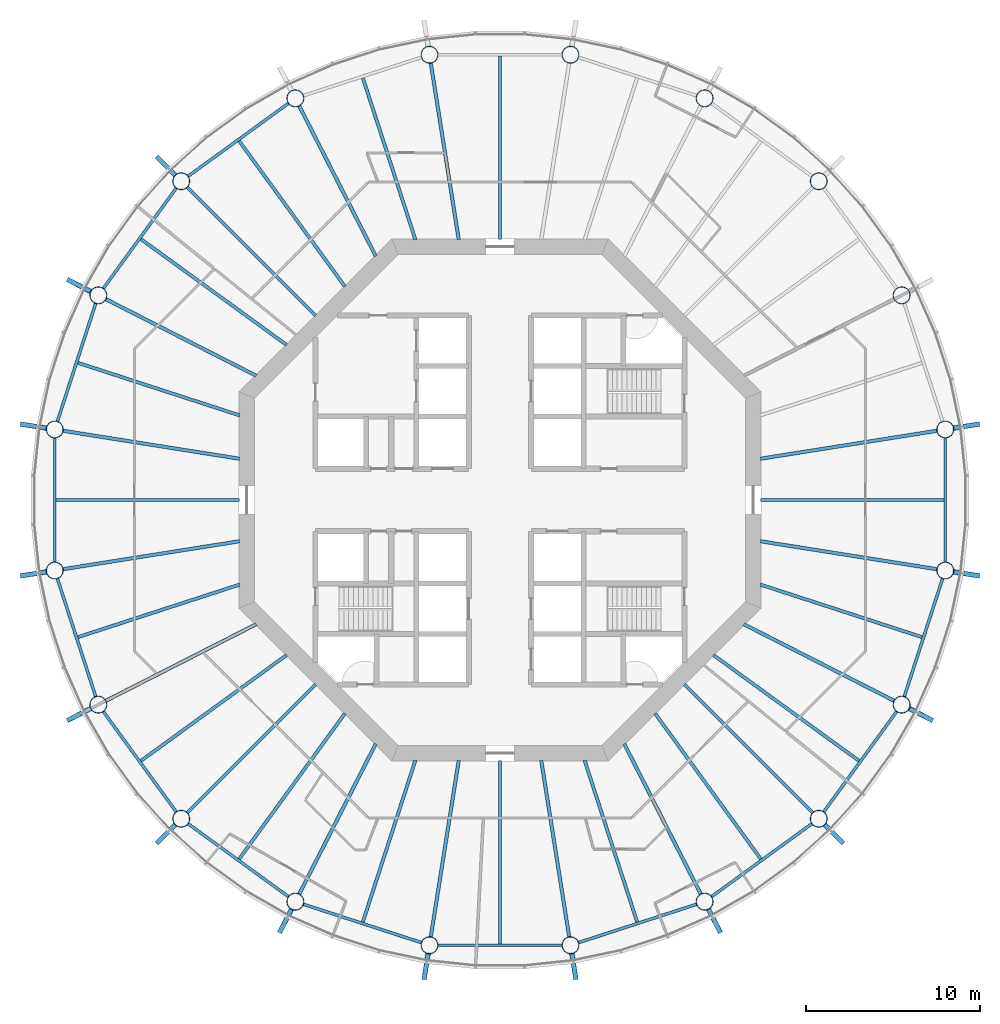
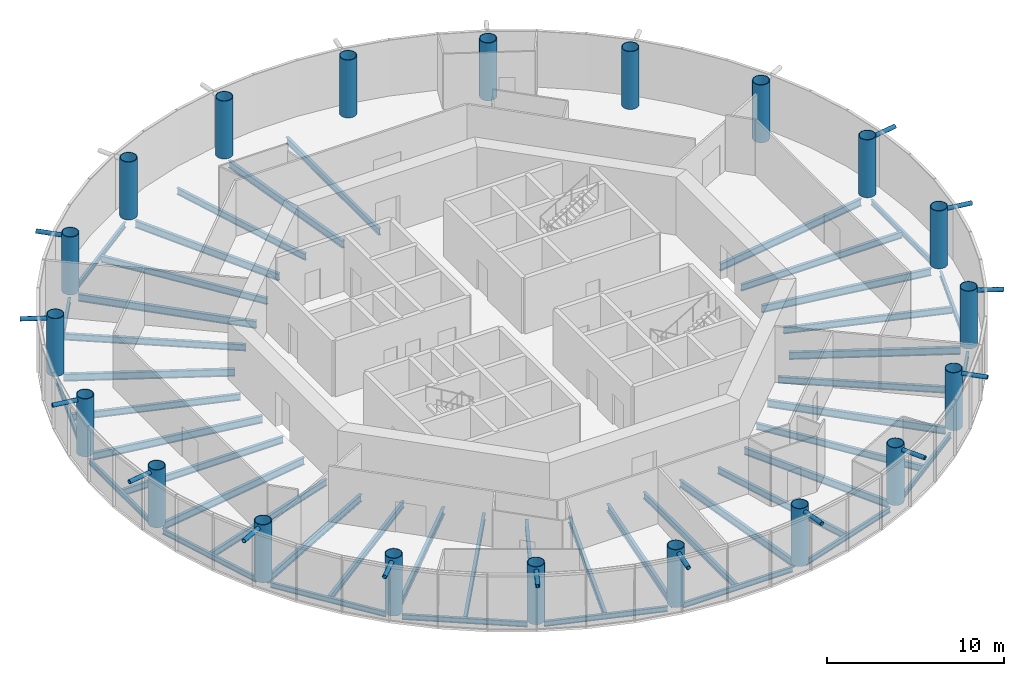
# One storey, part 1 of 13: 46 beams, 20 columns, 14 members.
"""IFC4 building model written with IfcOpenShell, lengths in metres."""

from ifc_helpers import new_model, si_unit, direction, frame, origin, origin_2d, place, context, subcontext, project, spatial, circle, hollow_circle, i_section, extrude, material, material_profile, profile_set, type_object, element, save


model = new_model("IFC4")

# Units and contexts
model_context = context("Model", 3, precision=1e-05, world=origin(), true_north=direction((0.0, 1.0)))
body_context = subcontext(model_context, "Body", "Model", "MODEL_VIEW")
ifc_project = project(units=[si_unit("LENGTHUNIT", "METRE"), si_unit("AREAUNIT", "SQUARE_METRE"), si_unit("VOLUMEUNIT", "CUBIC_METRE"), si_unit("PLANEANGLEUNIT", "RADIAN"), si_unit("MASSUNIT", "GRAM", prefix="KILO")], contexts=[model_context])

# Site, building, storey
site_placement = place(None, origin())
site = spatial("IfcSite", under=ifc_project, at=site_placement, CompositionType="ELEMENT")
building_placement = place(site_placement, origin())
building = spatial("IfcBuilding", under=site, at=building_placement, Name="Entoto Ring Tower", CompositionType="ELEMENT")
storey_placement = place(building_placement, frame((0.0, 0.0, 258.0)))
storey = spatial("IfcBuildingStorey", under=building, at=storey_placement, Name="L59", CompositionType="ELEMENT", Elevation=258.0)

# Columns
ifc_material_1 = material(Name="Steel S355", Category="steel")
ifc_material_profile_1 = material_profile(ifc_material_1, hollow_circle(Radius=0.5, WallThickness=0.0400390625, at=origin_2d()), Name="CHS 1000 x 40")
ifc_material_2 = material(Name="Concrete C60/75", Category="concrete")
ifc_material_profile_2 = material_profile(ifc_material_2, circle(Radius=0.4599609375, at=origin_2d()), Name="Concrete C60/75 infill")
ifc_profile_set_1 = profile_set([ifc_material_profile_1, ifc_material_profile_2], Name="Steel S355")
column_type = type_object("IfcColumnType", Name="Ring column 1000 x 40 concrete-filled tube", PredefinedType="COLUMN", material=ifc_profile_set_1)
for number, where, z_axis, x_axis, name in (
    (1, (115.5810546875, 84.0517578125, 0.0), (0.0, 0.0, 1.0), (1.0, 0.0, 0.0), "RC4 R01"),
    (2, (113.0771484375, 91.75830078125, 0.0), (0.0, 0.0, 1.0), (1.0, 0.0, 0.0), "RC4 R02"),
    (3, (108.31396484375, 98.31396484375, 0.0), (0.0, 0.0, 1.0), (1.0, 0.0, 0.0), "RC4 R03"),
    (4, (101.75830078125, 103.0771484375, 0.0), (0.0, 0.0, 1.0), (1.0, 0.0, 0.0), "RC4 R04"),
    (5, (94.0517578125, 105.5810546875, 0.0), (0.0, 0.0, 1.0), (1.0, 0.0, 0.0), "RC4 R05"),
    (6, (85.9482421875, 105.5810546875, 0.0), (0.0, 0.0, 1.0), (1.0, 0.0, 0.0), "RC4 R06"),
    (7, (78.24169921875, 103.0771484375, 0.0), (0.0, 0.0, 1.0), (1.0, 0.0, 0.0), "RC4 R07"),
    (8, (71.68603515625, 98.31396484375, 0.0), (0.0, 0.0, 1.0), (1.0, 0.0, 0.0), "RC4 R08"),
    (9, (66.9228515625, 91.75830078125, 0.0), (0.0, 0.0, 1.0), (1.0, 0.0, 0.0), "RC4 R09"),
    (10, (64.4189453125, 84.0517578125, 0.0), (0.0, 0.0, 1.0), (1.0, 0.0, 0.0), "RC4 R10"),
    (11, (64.4189453125, 75.9482421875, 0.0), (0.0, 0.0, 1.0), (1.0, 0.0, 0.0), "RC4 R11"),
    (12, (66.9228515625, 68.24169921875, 0.0), (0.0, 0.0, 1.0), (1.0, 0.0, 0.0), "RC4 R12"),
    (13, (71.68603515625, 61.68603515625, 0.0), (0.0, 0.0, 1.0), (1.0, 0.0, 0.0), "RC4 R13"),
    (14, (78.24169921875, 56.9228515625, 0.0), (0.0, 0.0, 1.0), (1.0, 0.0, 0.0), "RC4 R14"),
    (15, (85.9482421875, 54.4189453125, 0.0), (0.0, 0.0, 1.0), (1.0, 0.0, 0.0), "RC4 R15"),
    (16, (94.0517578125, 54.4189453125, 0.0), (0.0, 0.0, 1.0), (1.0, 0.0, 0.0), "RC4 R16"),
    (17, (101.75830078125, 56.9228515625, 0.0), (0.0, 0.0, 1.0), (1.0, 0.0, 0.0), "RC4 R17"),
    (18, (108.31396484375, 61.68603515625, 0.0), (0.0, 0.0, 1.0), (1.0, 0.0, 0.0), "RC4 R18"),
    (19, (113.0771484375, 68.24169921875, 0.0), (0.0, 0.0, 1.0), (1.0, 0.0, 0.0), "RC4 R19"),
    (20, (115.5810546875, 75.9482421875, 0.0), (0.0, 0.0, 1.0), (1.0, 0.0, 0.0), "RC4 R20"),
):
    element("IfcColumn", number, at=place(storey_placement, frame(where, z_axis=z_axis, x_axis=x_axis)), inside=storey, type_object=column_type, Name=name, PredefinedType="COLUMN", context=body_context, shape_type="SweptSolid", body=[
        extrude(hollow_circle(Radius=0.5, WallThickness=0.0400390625, at=origin_2d()), origin(), (0.0, 0.0, 1.0), 4.0),
    ])

# Members
ifc_material_3 = material(Name="Steel S355", Category="steel")
ifc_material_profile_3 = material_profile(ifc_material_3, hollow_circle(Radius=0.136474609375, WallThickness=0.012451171875, at=origin_2d()), Name="CHS 273 x 12.5")
ifc_material_4 = material(Name="Concrete C60/75", Category="concrete")
ifc_material_profile_4 = material_profile(ifc_material_4, circle(Radius=0.1240234375, at=origin_2d()), Name="Concrete C60/75 infill")
ifc_profile_set_2 = profile_set([ifc_material_profile_3, ifc_material_profile_4], Name="Steel S355")
member_type = type_object("IfcMemberType", Name="Diagrid node strut 273 x 12.5", PredefinedType="STRUT", material=ifc_profile_set_2)
member_1_placement = place(storey_placement, frame((71.360107421875, 98.639892578125, 3.71337890625), z_axis=(-0.707106781187, 0.707106781187, 0.0), x_axis=(-0.707106781187, -0.707106781187, 0.0)))
element("IfcMember", 21, at=member_1_placement, inside=storey, type_object=member_type, Name="DS2 strut ring 19 07", PredefinedType="STRUT", context=body_context, shape_type="SweptSolid", body=[
    extrude(hollow_circle(Radius=0.136474609375, WallThickness=0.012451171875, at=origin_2d()), origin(), (0.0, 0.0, 1.0), 1.539306640625),
])
for number, where, z_axis, x_axis, name in (
    (22, (66.51220703125, 91.967529296875, 3.71337890625), (-0.891006809714, 0.453989939363, 0.0), (-0.453989939363, -0.891006809714, 0.0), "DS2 strut ring 19 08"),
    (23, (63.963623046875, 84.123779296875, 3.71337890625), (-0.987690828979, 0.156418753192, 0.0), (-0.156418753192, -0.987690828979, 0.0), "DS2 strut ring 19 09"),
    (24, (63.963623046875, 75.876220703125, 3.71337890625), (-0.987690828979, -0.156418753192, 0.0), (0.156418753192, -0.987690828979, 0.0), "DS2 strut ring 19 10"),
    (25, (66.51220703125, 68.032470703125, 3.71337890625), (-0.891006809714, -0.453989939363, 0.0), (0.453989939363, -0.891006809714, 0.0), "DS2 strut ring 19 11"),
):
    element("IfcMember", number, at=place(storey_placement, frame(where, z_axis=z_axis, x_axis=x_axis)), inside=storey, type_object=member_type, Name=name, PredefinedType="STRUT", context=body_context, shape_type="SweptSolid", body=[
        extrude(hollow_circle(Radius=0.136474609375, WallThickness=0.012451171875, at=origin_2d()), origin(), (0.0, 0.0, 1.0), 1.5390625),
    ])
member_2_placement = place(storey_placement, frame((71.360107421875, 61.360107421875, 3.71337890625), z_axis=(-0.707106781187, -0.707106781187, 0.0), x_axis=(0.707106781187, -0.707106781187, 0.0)))
element("IfcMember", 26, at=member_2_placement, inside=storey, type_object=member_type, Name="DS2 strut ring 19 12", PredefinedType="STRUT", context=body_context, shape_type="SweptSolid", body=[
    extrude(hollow_circle(Radius=0.136474609375, WallThickness=0.012451171875, at=origin_2d()), origin(), (0.0, 0.0, 1.0), 1.539306640625),
])
for number, where, z_axis, x_axis, name in (
    (27, (78.032470703125, 56.51220703125, 3.71337890625), (-0.453989939363, -0.891006809714, 0.0), (0.891006809714, -0.453989939363, 0.0), "DS2 strut ring 19 13"),
    (28, (85.876220703125, 53.963623046875, 3.71337890625), (-0.156418753192, -0.987690828979, 0.0), (0.987690828979, -0.156418753192, 0.0), "DS2 strut ring 19 14"),
    (29, (94.123779296875, 53.963623046875, 3.71337890625), (0.156418753192, -0.987690828979, 0.0), (0.987690828979, 0.156418753192, 0.0), "DS2 strut ring 19 15"),
    (30, (101.967529296875, 56.51220703125, 3.71337890625), (0.453989939363, -0.891006809714, 0.0), (0.891006809714, 0.453989939363, 0.0), "DS2 strut ring 19 16"),
):
    element("IfcMember", number, at=place(storey_placement, frame(where, z_axis=z_axis, x_axis=x_axis)), inside=storey, type_object=member_type, Name=name, PredefinedType="STRUT", context=body_context, shape_type="SweptSolid", body=[
        extrude(hollow_circle(Radius=0.136474609375, WallThickness=0.012451171875, at=origin_2d()), origin(), (0.0, 0.0, 1.0), 1.5390625),
    ])
member_3_placement = place(storey_placement, frame((108.639892578125, 61.360107421875, 3.71337890625), z_axis=(0.707106781187, -0.707106781187, 0.0), x_axis=(0.707106781187, 0.707106781187, 0.0)))
element("IfcMember", 31, at=member_3_placement, inside=storey, type_object=member_type, Name="DS2 strut ring 19 17", PredefinedType="STRUT", context=body_context, shape_type="SweptSolid", body=[
    extrude(hollow_circle(Radius=0.136474609375, WallThickness=0.012451171875, at=origin_2d()), origin(), (0.0, 0.0, 1.0), 1.539306640625),
])
for number, where, z_axis, x_axis, name in (
    (32, (113.48779296875, 68.032470703125, 3.71337890625), (0.891006809714, -0.453989939363, 0.0), (0.453989939363, 0.891006809714, 0.0), "DS2 strut ring 19 18"),
    (33, (116.036376953125, 75.876220703125, 3.71337890625), (0.987690828979, -0.156418753192, 0.0), (0.156418753192, 0.987690828979, 0.0), "DS2 strut ring 19 19"),
    (34, (116.036376953125, 84.123779296875, 3.71337890625), (0.987690828979, 0.156418753192, 0.0), (-0.156418753192, 0.987690828979, 0.0), "DS2 strut ring 19 20"),
):
    element("IfcMember", number, at=place(storey_placement, frame(where, z_axis=z_axis, x_axis=x_axis)), inside=storey, type_object=member_type, Name=name, PredefinedType="STRUT", context=body_context, shape_type="SweptSolid", body=[
        extrude(hollow_circle(Radius=0.136474609375, WallThickness=0.012451171875, at=origin_2d()), origin(), (0.0, 0.0, 1.0), 1.5390625),
    ])

# Beams
ifc_material_5 = material(Name="Steel S355", Category="steel")
ifc_material_profile_5 = material_profile(ifc_material_5, i_section(OverallWidth=0.169921875, OverallDepth=0.360107421875, WebThickness=0.008056640625, FlangeThickness=0.0126953125, FilletRadius=0.01806640625, at=origin_2d()), Name="IPE 360")
ifc_profile_set_3 = profile_set([ifc_material_profile_5], Name="Steel S355")
beam_type_1 = type_object("IfcBeamType", Name="Edge beam IPE 360", PredefinedType="SPANDREL", material=ifc_profile_set_3)
for number, where, z_axis, x_axis, name in (
    (35, (77.859375, 102.79931640625, -0.330078125), (-0.809010324619, -0.587794432314, 0.0), (0.587794432314, -0.809010324619, 0.0), "Edge beam L59 07"),
    (36, (71.408203125, 97.931640625, -0.330078125), (-0.587794432314, -0.809010324619, 0.0), (0.809010324619, -0.587794432314, 0.0), "Edge beam L59 08"),
):
    element("IfcBeam", number, at=place(storey_placement, frame(where, z_axis=z_axis, x_axis=x_axis)), inside=storey, type_object=beam_type_1, Name=name, PredefinedType="SPANDREL", context=body_context, shape_type="SweptSolid", body=[
        extrude(i_section(OverallWidth=0.169921875, OverallDepth=0.360107421875, WebThickness=0.008056640625, FlangeThickness=0.0126953125, FilletRadius=0.01806640625, at=origin_2d()), origin(), (0.0, 0.0, 1.0), 7.158203125),
    ])
beam_1_placement = place(storey_placement, frame((66.77685546875, 91.308837890625, -0.330078125), z_axis=(-0.309015118354, -0.951057125849, 0.0), x_axis=(0.951057125849, -0.309015118354, 0.0)))
element("IfcBeam", 37, at=beam_1_placement, inside=storey, type_object=beam_type_1, Name="Edge beam L59 09", PredefinedType="SPANDREL", context=body_context, shape_type="SweptSolid", body=[
    extrude(i_section(OverallWidth=0.169921875, OverallDepth=0.360107421875, WebThickness=0.008056640625, FlangeThickness=0.0126953125, FilletRadius=0.01806640625, at=origin_2d()), origin(), (0.0, 0.0, 1.0), 7.157958984375),
])
beam_2_placement = place(storey_placement, frame((64.4189453125, 83.5791015625, -0.330078125), z_axis=(0.0, -1.0, 0.0), x_axis=(1.0, 0.0, 0.0)))
element("IfcBeam", 38, at=beam_2_placement, inside=storey, type_object=beam_type_1, Name="Edge beam L59 10", PredefinedType="SPANDREL", context=body_context, shape_type="SweptSolid", body=[
    extrude(i_section(OverallWidth=0.169921875, OverallDepth=0.360107421875, WebThickness=0.008056640625, FlangeThickness=0.0126953125, FilletRadius=0.01806640625, at=origin_2d()), origin(), (0.0, 0.0, 1.0), 7.158203125),
])
beam_3_placement = place(storey_placement, frame((64.56494140625, 75.498779296875, -0.330078125), z_axis=(0.309015118354, -0.951057125849, 0.0), x_axis=(0.951057125849, 0.309015118354, 0.0)))
element("IfcBeam", 39, at=beam_3_placement, inside=storey, type_object=beam_type_1, Name="Edge beam L59 11", PredefinedType="SPANDREL", context=body_context, shape_type="SweptSolid", body=[
    extrude(i_section(OverallWidth=0.169921875, OverallDepth=0.360107421875, WebThickness=0.008056640625, FlangeThickness=0.0126953125, FilletRadius=0.01806640625, at=origin_2d()), origin(), (0.0, 0.0, 1.0), 7.157958984375),
])
for number, where, z_axis, x_axis, name in (
    (40, (67.20068359375, 67.859375, -0.330078125), (0.587794432314, -0.809010324619, 0.0), (0.809010324619, 0.587794432314, 0.0), "Edge beam L59 12"),
    (41, (72.068359375, 61.408203125, -0.330078125), (0.809010324619, -0.587794432314, 0.0), (0.587794432314, 0.809010324619, 0.0), "Edge beam L59 13"),
):
    element("IfcBeam", number, at=place(storey_placement, frame(where, z_axis=z_axis, x_axis=x_axis)), inside=storey, type_object=beam_type_1, Name=name, PredefinedType="SPANDREL", context=body_context, shape_type="SweptSolid", body=[
        extrude(i_section(OverallWidth=0.169921875, OverallDepth=0.360107421875, WebThickness=0.008056640625, FlangeThickness=0.0126953125, FilletRadius=0.01806640625, at=origin_2d()), origin(), (0.0, 0.0, 1.0), 7.158203125),
    ])
beam_4_placement = place(storey_placement, frame((78.691162109375, 56.77685546875, -0.330078125), z_axis=(0.951057125849, -0.309015118354, 0.0), x_axis=(0.309015118354, 0.951057125849, 0.0)))
element("IfcBeam", 42, at=beam_4_placement, inside=storey, type_object=beam_type_1, Name="Edge beam L59 14", PredefinedType="SPANDREL", context=body_context, shape_type="SweptSolid", body=[
    extrude(i_section(OverallWidth=0.169921875, OverallDepth=0.360107421875, WebThickness=0.008056640625, FlangeThickness=0.0126953125, FilletRadius=0.01806640625, at=origin_2d()), origin(), (0.0, 0.0, 1.0), 7.157958984375),
])
beam_5_placement = place(storey_placement, frame((86.4208984375, 54.4189453125, -0.330078125), z_axis=(1.0, 0.0, 0.0), x_axis=(0.0, 1.0, 0.0)))
element("IfcBeam", 43, at=beam_5_placement, inside=storey, type_object=beam_type_1, Name="Edge beam L59 15", PredefinedType="SPANDREL", context=body_context, shape_type="SweptSolid", body=[
    extrude(i_section(OverallWidth=0.169921875, OverallDepth=0.360107421875, WebThickness=0.008056640625, FlangeThickness=0.0126953125, FilletRadius=0.01806640625, at=origin_2d()), origin(), (0.0, 0.0, 1.0), 7.158203125),
])
beam_6_placement = place(storey_placement, frame((94.501220703125, 54.56494140625, -0.330078125), z_axis=(0.951057125849, 0.309015118354, 0.0), x_axis=(-0.309015118354, 0.951057125849, 0.0)))
element("IfcBeam", 44, at=beam_6_placement, inside=storey, type_object=beam_type_1, Name="Edge beam L59 16", PredefinedType="SPANDREL", context=body_context, shape_type="SweptSolid", body=[
    extrude(i_section(OverallWidth=0.169921875, OverallDepth=0.360107421875, WebThickness=0.008056640625, FlangeThickness=0.0126953125, FilletRadius=0.01806640625, at=origin_2d()), origin(), (0.0, 0.0, 1.0), 7.157958984375),
])
for number, where, z_axis, x_axis, name in (
    (45, (102.140625, 57.20068359375, -0.330078125), (0.809010324619, 0.587794432314, 0.0), (-0.587794432314, 0.809010324619, 0.0), "Edge beam L59 17"),
    (46, (108.591796875, 62.068359375, -0.330078125), (0.587794432314, 0.809010324619, 0.0), (-0.809010324619, 0.587794432314, 0.0), "Edge beam L59 18"),
):
    element("IfcBeam", number, at=place(storey_placement, frame(where, z_axis=z_axis, x_axis=x_axis)), inside=storey, type_object=beam_type_1, Name=name, PredefinedType="SPANDREL", context=body_context, shape_type="SweptSolid", body=[
        extrude(i_section(OverallWidth=0.169921875, OverallDepth=0.360107421875, WebThickness=0.008056640625, FlangeThickness=0.0126953125, FilletRadius=0.01806640625, at=origin_2d()), origin(), (0.0, 0.0, 1.0), 7.158203125),
    ])
beam_7_placement = place(storey_placement, frame((113.22314453125, 68.691162109375, -0.330078125), z_axis=(0.309015118354, 0.951057125849, 0.0), x_axis=(-0.951057125849, 0.309015118354, 0.0)))
element("IfcBeam", 47, at=beam_7_placement, inside=storey, type_object=beam_type_1, Name="Edge beam L59 19", PredefinedType="SPANDREL", context=body_context, shape_type="SweptSolid", body=[
    extrude(i_section(OverallWidth=0.169921875, OverallDepth=0.360107421875, WebThickness=0.008056640625, FlangeThickness=0.0126953125, FilletRadius=0.01806640625, at=origin_2d()), origin(), (0.0, 0.0, 1.0), 7.157958984375),
])
beam_8_placement = place(storey_placement, frame((115.5810546875, 76.4208984375, -0.330078125), z_axis=(0.0, 1.0, 0.0), x_axis=(-1.0, 0.0, 0.0)))
element("IfcBeam", 48, at=beam_8_placement, inside=storey, type_object=beam_type_1, Name="Edge beam L59 20", PredefinedType="SPANDREL", context=body_context, shape_type="SweptSolid", body=[
    extrude(i_section(OverallWidth=0.169921875, OverallDepth=0.360107421875, WebThickness=0.008056640625, FlangeThickness=0.0126953125, FilletRadius=0.01806640625, at=origin_2d()), origin(), (0.0, 0.0, 1.0), 7.158203125),
])
ifc_material_6 = material(Name="Steel S355", Category="steel")
ifc_material_profile_6 = material_profile(ifc_material_6, i_section(OverallWidth=0.199951171875, OverallDepth=0.5, WebThickness=0.01025390625, FlangeThickness=0.01611328125, FilletRadius=0.02099609375, at=origin_2d()), Name="IPE 500")
ifc_profile_set_4 = profile_set([ifc_material_profile_6], Name="Steel S355")
beam_type_2 = type_object("IfcBeamType", Name="Primary floor beam IPE 500", PredefinedType="BEAM", material=ifc_profile_set_4)
for number, where, z_axis, x_axis, name in (
    (49, (104.964599609375, 82.3701171875, -0.39990234375), (0.987685619518, 0.156451644281, 0.0), (-0.156451644281, 0.987685619518, 0.0), "Primary L59 R01"),
    (50, (87.6298828125, 94.964599609375, -0.39990234375), (-0.156451644281, 0.987685619518, 0.0), (-0.987685619518, -0.156451644281, 0.0), "Primary L59 R06"),
):
    element("IfcBeam", number, at=place(storey_placement, frame(where, z_axis=z_axis, x_axis=x_axis)), inside=storey, type_object=beam_type_2, Name=name, PredefinedType="BEAM", context=body_context, shape_type="SweptSolid", body=[
        extrude(i_section(OverallWidth=0.199951171875, OverallDepth=0.5, WebThickness=0.01025390625, FlangeThickness=0.01611328125, FilletRadius=0.02099609375, at=origin_2d()), origin(), (0.0, 0.0, 1.0), 10.27880859375),
    ])
beam_9_placement = place(storey_placement, frame((82.863525390625, 94.006103515625, -0.39990234375), z_axis=(-0.45397888461, 0.891012442297, 0.0), x_axis=(-0.891012442297, -0.45397888461, 0.0)))
element("IfcBeam", 51, at=beam_9_placement, inside=storey, type_object=beam_type_2, Name="Primary L59 R07", PredefinedType="BEAM", context=body_context, shape_type="SweptSolid", body=[
    extrude(i_section(OverallWidth=0.199951171875, OverallDepth=0.5, WebThickness=0.01025390625, FlangeThickness=0.01611328125, FilletRadius=0.02099609375, at=origin_2d()), origin(), (0.0, 0.0, 1.0), 9.710693359375),
])
beam_10_placement = place(storey_placement, frame((79.407470703125, 90.592529296875, -0.39990234375), z_axis=(-0.707106781187, 0.707106781187, 0.0), x_axis=(-0.707106781187, -0.707106781187, 0.0)))
element("IfcBeam", 52, at=beam_10_placement, inside=storey, type_object=beam_type_2, Name="Primary L59 R08", PredefinedType="BEAM", context=body_context, shape_type="SweptSolid", body=[
    extrude(i_section(OverallWidth=0.199951171875, OverallDepth=0.5, WebThickness=0.01025390625, FlangeThickness=0.01611328125, FilletRadius=0.02099609375, at=origin_2d()), origin(), (0.0, 0.0, 1.0), 10.4501953125),
])
beam_11_placement = place(storey_placement, frame((75.993896484375, 87.136474609375, -0.39990234375), z_axis=(-0.891012442297, 0.45397888461, 0.0), x_axis=(-0.45397888461, -0.891012442297, 0.0)))
element("IfcBeam", 53, at=beam_11_placement, inside=storey, type_object=beam_type_2, Name="Primary L59 R09", PredefinedType="BEAM", context=body_context, shape_type="SweptSolid", body=[
    extrude(i_section(OverallWidth=0.199951171875, OverallDepth=0.5, WebThickness=0.01025390625, FlangeThickness=0.01611328125, FilletRadius=0.02099609375, at=origin_2d()), origin(), (0.0, 0.0, 1.0), 9.710693359375),
])
for number, where, z_axis, x_axis, name in (
    (54, (75.035400390625, 82.3701171875, -0.39990234375), (-0.987685619518, 0.156451644281, 0.0), (-0.156451644281, -0.987685619518, 0.0), "Primary L59 R10"),
    (55, (75.035400390625, 77.6298828125, -0.39990234375), (-0.987685619518, -0.156451644281, 0.0), (0.156451644281, -0.987685619518, 0.0), "Primary L59 R11"),
):
    element("IfcBeam", number, at=place(storey_placement, frame(where, z_axis=z_axis, x_axis=x_axis)), inside=storey, type_object=beam_type_2, Name=name, PredefinedType="BEAM", context=body_context, shape_type="SweptSolid", body=[
        extrude(i_section(OverallWidth=0.199951171875, OverallDepth=0.5, WebThickness=0.01025390625, FlangeThickness=0.01611328125, FilletRadius=0.02099609375, at=origin_2d()), origin(), (0.0, 0.0, 1.0), 10.27880859375),
    ])
beam_12_placement = place(storey_placement, frame((75.993896484375, 72.863525390625, -0.39990234375), z_axis=(-0.891012442297, -0.45397888461, 0.0), x_axis=(0.45397888461, -0.891012442297, 0.0)))
element("IfcBeam", 56, at=beam_12_placement, inside=storey, type_object=beam_type_2, Name="Primary L59 R12", PredefinedType="BEAM", context=body_context, shape_type="SweptSolid", body=[
    extrude(i_section(OverallWidth=0.199951171875, OverallDepth=0.5, WebThickness=0.01025390625, FlangeThickness=0.01611328125, FilletRadius=0.02099609375, at=origin_2d()), origin(), (0.0, 0.0, 1.0), 9.710693359375),
])
beam_13_placement = place(storey_placement, frame((79.407470703125, 69.407470703125, -0.39990234375), z_axis=(-0.707106781187, -0.707106781187, 0.0), x_axis=(0.707106781187, -0.707106781187, 0.0)))
element("IfcBeam", 57, at=beam_13_placement, inside=storey, type_object=beam_type_2, Name="Primary L59 R13", PredefinedType="BEAM", context=body_context, shape_type="SweptSolid", body=[
    extrude(i_section(OverallWidth=0.199951171875, OverallDepth=0.5, WebThickness=0.01025390625, FlangeThickness=0.01611328125, FilletRadius=0.02099609375, at=origin_2d()), origin(), (0.0, 0.0, 1.0), 10.4501953125),
])
beam_14_placement = place(storey_placement, frame((82.863525390625, 65.993896484375, -0.39990234375), z_axis=(-0.45397888461, -0.891012442297, 0.0), x_axis=(0.891012442297, -0.45397888461, 0.0)))
element("IfcBeam", 58, at=beam_14_placement, inside=storey, type_object=beam_type_2, Name="Primary L59 R14", PredefinedType="BEAM", context=body_context, shape_type="SweptSolid", body=[
    extrude(i_section(OverallWidth=0.199951171875, OverallDepth=0.5, WebThickness=0.01025390625, FlangeThickness=0.01611328125, FilletRadius=0.02099609375, at=origin_2d()), origin(), (0.0, 0.0, 1.0), 9.710693359375),
])
for number, where, z_axis, x_axis, name in (
    (59, (87.6298828125, 65.035400390625, -0.39990234375), (-0.156451644281, -0.987685619518, 0.0), (0.987685619518, -0.156451644281, 0.0), "Primary L59 R15"),
    (60, (92.3701171875, 65.035400390625, -0.39990234375), (0.156451644281, -0.987685619518, 0.0), (0.987685619518, 0.156451644281, 0.0), "Primary L59 R16"),
):
    element("IfcBeam", number, at=place(storey_placement, frame(where, z_axis=z_axis, x_axis=x_axis)), inside=storey, type_object=beam_type_2, Name=name, PredefinedType="BEAM", context=body_context, shape_type="SweptSolid", body=[
        extrude(i_section(OverallWidth=0.199951171875, OverallDepth=0.5, WebThickness=0.01025390625, FlangeThickness=0.01611328125, FilletRadius=0.02099609375, at=origin_2d()), origin(), (0.0, 0.0, 1.0), 10.27880859375),
    ])
beam_15_placement = place(storey_placement, frame((97.136474609375, 65.993896484375, -0.39990234375), z_axis=(0.45397888461, -0.891012442297, 0.0), x_axis=(0.891012442297, 0.45397888461, 0.0)))
element("IfcBeam", 61, at=beam_15_placement, inside=storey, type_object=beam_type_2, Name="Primary L59 R17", PredefinedType="BEAM", context=body_context, shape_type="SweptSolid", body=[
    extrude(i_section(OverallWidth=0.199951171875, OverallDepth=0.5, WebThickness=0.01025390625, FlangeThickness=0.01611328125, FilletRadius=0.02099609375, at=origin_2d()), origin(), (0.0, 0.0, 1.0), 9.710693359375),
])
beam_16_placement = place(storey_placement, frame((100.592529296875, 69.407470703125, -0.39990234375), z_axis=(0.707106781187, -0.707106781187, 0.0), x_axis=(0.707106781187, 0.707106781187, 0.0)))
element("IfcBeam", 62, at=beam_16_placement, inside=storey, type_object=beam_type_2, Name="Primary L59 R18", PredefinedType="BEAM", context=body_context, shape_type="SweptSolid", body=[
    extrude(i_section(OverallWidth=0.199951171875, OverallDepth=0.5, WebThickness=0.01025390625, FlangeThickness=0.01611328125, FilletRadius=0.02099609375, at=origin_2d()), origin(), (0.0, 0.0, 1.0), 10.4501953125),
])
beam_17_placement = place(storey_placement, frame((104.006103515625, 72.863525390625, -0.39990234375), z_axis=(0.891012442297, -0.45397888461, 0.0), x_axis=(0.45397888461, 0.891012442297, 0.0)))
element("IfcBeam", 63, at=beam_17_placement, inside=storey, type_object=beam_type_2, Name="Primary L59 R19", PredefinedType="BEAM", context=body_context, shape_type="SweptSolid", body=[
    extrude(i_section(OverallWidth=0.199951171875, OverallDepth=0.5, WebThickness=0.01025390625, FlangeThickness=0.01611328125, FilletRadius=0.02099609375, at=origin_2d()), origin(), (0.0, 0.0, 1.0), 9.710693359375),
])
beam_18_placement = place(storey_placement, frame((104.964599609375, 77.6298828125, -0.39990234375), z_axis=(0.987685619518, -0.156451644281, 0.0), x_axis=(0.156451644281, 0.987685619518, 0.0)))
element("IfcBeam", 64, at=beam_18_placement, inside=storey, type_object=beam_type_2, Name="Primary L59 R20", PredefinedType="BEAM", context=body_context, shape_type="SweptSolid", body=[
    extrude(i_section(OverallWidth=0.199951171875, OverallDepth=0.5, WebThickness=0.01025390625, FlangeThickness=0.01611328125, FilletRadius=0.02099609375, at=origin_2d()), origin(), (0.0, 0.0, 1.0), 10.27880859375),
])
ifc_material_7 = material(Name="Steel S355", Category="steel")
ifc_material_profile_7 = material_profile(ifc_material_7, i_section(OverallWidth=0.18994140625, OverallDepth=0.449951171875, WebThickness=0.009521484375, FlangeThickness=0.0146484375, FilletRadius=0.02099609375, at=origin_2d()), Name="IPE 450")
ifc_profile_set_5 = profile_set([ifc_material_profile_7], Name="Steel S355")
beam_type_3 = type_object("IfcBeamType", Name="Secondary floor beam IPE 450", PredefinedType="JOIST", material=ifc_profile_set_5)
beam_19_placement = place(storey_placement, frame((90.0, 94.97998046875, -0.375), z_axis=(0.0, 1.0, 0.0), x_axis=(-1.0, 0.0, 0.0)))
element("IfcBeam", 65, at=beam_19_placement, inside=storey, type_object=beam_type_3, Name="Secondary beam L59 05", PredefinedType="JOIST", context=body_context, shape_type="SweptSolid", body=[
    extrude(i_section(OverallWidth=0.18994140625, OverallDepth=0.449951171875, WebThickness=0.009521484375, FlangeThickness=0.0146484375, FilletRadius=0.02099609375, at=origin_2d()), origin(), (0.0, 0.0, 1.0), 10.51611328125),
])
beam_20_placement = place(storey_placement, frame((85.141845703125, 94.95166015625, -0.375), z_axis=(-0.309003053144, 0.951061045963, 0.0), x_axis=(-0.951061045963, -0.309003053144, 0.0)))
element("IfcBeam", 66, at=beam_20_placement, inside=storey, type_object=beam_type_3, Name="Secondary beam L59 06", PredefinedType="JOIST", context=body_context, shape_type="SweptSolid", body=[
    extrude(i_section(OverallWidth=0.18994140625, OverallDepth=0.449951171875, WebThickness=0.009521484375, FlangeThickness=0.0146484375, FilletRadius=0.02099609375, at=origin_2d()), origin(), (0.0, 0.0, 1.0), 9.77490234375),
])
for number, where, z_axis, x_axis, name in (
    (67, (81.093994140625, 92.258056640625, -0.375), (-0.58779413796, 0.809010538485, 0.0), (-0.809010538485, -0.58779413796, 0.0), "Secondary beam L59 07"),
    (68, (77.741943359375, 88.906005859375, -0.375), (-0.809010538485, 0.58779413796, 0.0), (-0.58779413796, -0.809010538485, 0.0), "Secondary beam L59 08"),
):
    element("IfcBeam", number, at=place(storey_placement, frame(where, z_axis=z_axis, x_axis=x_axis)), inside=storey, type_object=beam_type_3, Name=name, PredefinedType="JOIST", context=body_context, shape_type="SweptSolid", body=[
        extrude(i_section(OverallWidth=0.18994140625, OverallDepth=0.449951171875, WebThickness=0.009521484375, FlangeThickness=0.0146484375, FilletRadius=0.02099609375, at=origin_2d()), origin(), (0.0, 0.0, 1.0), 10.34423828125),
    ])
beam_21_placement = place(storey_placement, frame((75.04833984375, 84.858154296875, -0.375), z_axis=(-0.951061045963, 0.309003053144, 0.0), x_axis=(-0.309003053144, -0.951061045963, 0.0)))
element("IfcBeam", 69, at=beam_21_placement, inside=storey, type_object=beam_type_3, Name="Secondary beam L59 09", PredefinedType="JOIST", context=body_context, shape_type="SweptSolid", body=[
    extrude(i_section(OverallWidth=0.18994140625, OverallDepth=0.449951171875, WebThickness=0.009521484375, FlangeThickness=0.0146484375, FilletRadius=0.02099609375, at=origin_2d()), origin(), (0.0, 0.0, 1.0), 9.77490234375),
])
beam_22_placement = place(storey_placement, frame((75.02001953125, 80.0, -0.375), z_axis=(-1.0, 0.0, 0.0), x_axis=(0.0, -1.0, 0.0)))
element("IfcBeam", 70, at=beam_22_placement, inside=storey, type_object=beam_type_3, Name="Secondary beam L59 10", PredefinedType="JOIST", context=body_context, shape_type="SweptSolid", body=[
    extrude(i_section(OverallWidth=0.18994140625, OverallDepth=0.449951171875, WebThickness=0.009521484375, FlangeThickness=0.0146484375, FilletRadius=0.02099609375, at=origin_2d()), origin(), (0.0, 0.0, 1.0), 10.51611328125),
])
beam_23_placement = place(storey_placement, frame((75.04833984375, 75.141845703125, -0.375), z_axis=(-0.951061045963, -0.309003053144, 0.0), x_axis=(0.309003053144, -0.951061045963, 0.0)))
element("IfcBeam", 71, at=beam_23_placement, inside=storey, type_object=beam_type_3, Name="Secondary beam L59 11", PredefinedType="JOIST", context=body_context, shape_type="SweptSolid", body=[
    extrude(i_section(OverallWidth=0.18994140625, OverallDepth=0.449951171875, WebThickness=0.009521484375, FlangeThickness=0.0146484375, FilletRadius=0.02099609375, at=origin_2d()), origin(), (0.0, 0.0, 1.0), 9.77490234375),
])
for number, where, z_axis, x_axis, name in (
    (72, (77.741943359375, 71.093994140625, -0.375), (-0.809010538485, -0.58779413796, 0.0), (0.58779413796, -0.809010538485, 0.0), "Secondary beam L59 12"),
    (73, (81.093994140625, 67.741943359375, -0.375), (-0.58779413796, -0.809010538485, 0.0), (0.809010538485, -0.58779413796, 0.0), "Secondary beam L59 13"),
):
    element("IfcBeam", number, at=place(storey_placement, frame(where, z_axis=z_axis, x_axis=x_axis)), inside=storey, type_object=beam_type_3, Name=name, PredefinedType="JOIST", context=body_context, shape_type="SweptSolid", body=[
        extrude(i_section(OverallWidth=0.18994140625, OverallDepth=0.449951171875, WebThickness=0.009521484375, FlangeThickness=0.0146484375, FilletRadius=0.02099609375, at=origin_2d()), origin(), (0.0, 0.0, 1.0), 10.34423828125),
    ])
beam_24_placement = place(storey_placement, frame((85.141845703125, 65.04833984375, -0.375), z_axis=(-0.309003053144, -0.951061045963, 0.0), x_axis=(0.951061045963, -0.309003053144, 0.0)))
element("IfcBeam", 74, at=beam_24_placement, inside=storey, type_object=beam_type_3, Name="Secondary beam L59 14", PredefinedType="JOIST", context=body_context, shape_type="SweptSolid", body=[
    extrude(i_section(OverallWidth=0.18994140625, OverallDepth=0.449951171875, WebThickness=0.009521484375, FlangeThickness=0.0146484375, FilletRadius=0.02099609375, at=origin_2d()), origin(), (0.0, 0.0, 1.0), 9.77490234375),
])
beam_25_placement = place(storey_placement, frame((90.0, 65.02001953125, -0.375), z_axis=(0.0, -1.0, 0.0), x_axis=(1.0, 0.0, 0.0)))
element("IfcBeam", 75, at=beam_25_placement, inside=storey, type_object=beam_type_3, Name="Secondary beam L59 15", PredefinedType="JOIST", context=body_context, shape_type="SweptSolid", body=[
    extrude(i_section(OverallWidth=0.18994140625, OverallDepth=0.449951171875, WebThickness=0.009521484375, FlangeThickness=0.0146484375, FilletRadius=0.02099609375, at=origin_2d()), origin(), (0.0, 0.0, 1.0), 10.51611328125),
])
beam_26_placement = place(storey_placement, frame((94.858154296875, 65.04833984375, -0.375), z_axis=(0.309003053144, -0.951061045963, 0.0), x_axis=(0.951061045963, 0.309003053144, 0.0)))
element("IfcBeam", 76, at=beam_26_placement, inside=storey, type_object=beam_type_3, Name="Secondary beam L59 16", PredefinedType="JOIST", context=body_context, shape_type="SweptSolid", body=[
    extrude(i_section(OverallWidth=0.18994140625, OverallDepth=0.449951171875, WebThickness=0.009521484375, FlangeThickness=0.0146484375, FilletRadius=0.02099609375, at=origin_2d()), origin(), (0.0, 0.0, 1.0), 9.77490234375),
])
for number, where, z_axis, x_axis, name in (
    (77, (98.906005859375, 67.741943359375, -0.375), (0.58779413796, -0.809010538485, 0.0), (0.809010538485, 0.58779413796, 0.0), "Secondary beam L59 17"),
    (78, (102.258056640625, 71.093994140625, -0.375), (0.809010538485, -0.58779413796, 0.0), (0.58779413796, 0.809010538485, 0.0), "Secondary beam L59 18"),
):
    element("IfcBeam", number, at=place(storey_placement, frame(where, z_axis=z_axis, x_axis=x_axis)), inside=storey, type_object=beam_type_3, Name=name, PredefinedType="JOIST", context=body_context, shape_type="SweptSolid", body=[
        extrude(i_section(OverallWidth=0.18994140625, OverallDepth=0.449951171875, WebThickness=0.009521484375, FlangeThickness=0.0146484375, FilletRadius=0.02099609375, at=origin_2d()), origin(), (0.0, 0.0, 1.0), 10.34423828125),
    ])
beam_27_placement = place(storey_placement, frame((104.95166015625, 75.141845703125, -0.375), z_axis=(0.951061045963, -0.309003053144, 0.0), x_axis=(0.309003053144, 0.951061045963, 0.0)))
element("IfcBeam", 79, at=beam_27_placement, inside=storey, type_object=beam_type_3, Name="Secondary beam L59 19", PredefinedType="JOIST", context=body_context, shape_type="SweptSolid", body=[
    extrude(i_section(OverallWidth=0.18994140625, OverallDepth=0.449951171875, WebThickness=0.009521484375, FlangeThickness=0.0146484375, FilletRadius=0.02099609375, at=origin_2d()), origin(), (0.0, 0.0, 1.0), 9.77490234375),
])
beam_28_placement = place(storey_placement, frame((104.97998046875, 80.0, -0.375), z_axis=(1.0, 0.0, 0.0), x_axis=(0.0, 1.0, 0.0)))
element("IfcBeam", 80, at=beam_28_placement, inside=storey, type_object=beam_type_3, Name="Secondary beam L59 20", PredefinedType="JOIST", context=body_context, shape_type="SweptSolid", body=[
    extrude(i_section(OverallWidth=0.18994140625, OverallDepth=0.449951171875, WebThickness=0.009521484375, FlangeThickness=0.0146484375, FilletRadius=0.02099609375, at=origin_2d()), origin(), (0.0, 0.0, 1.0), 10.51611328125),
])

save(model, "model.ifc")
